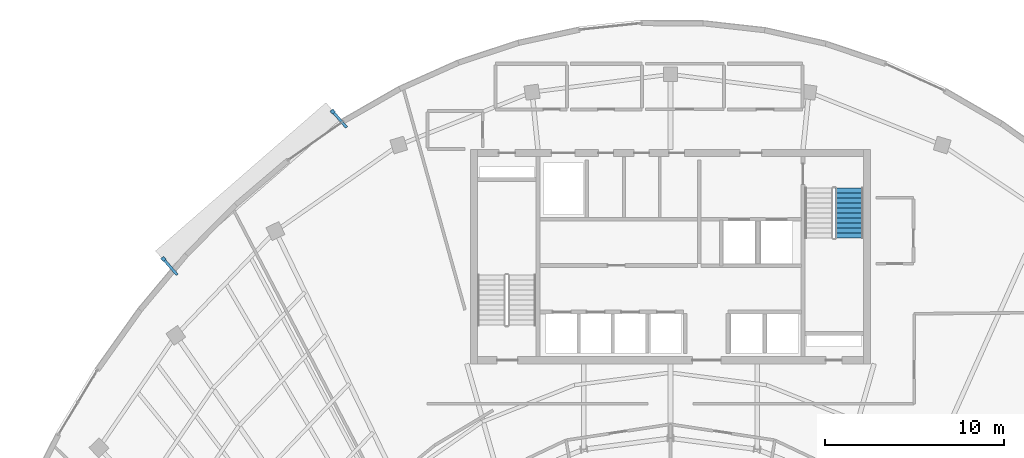
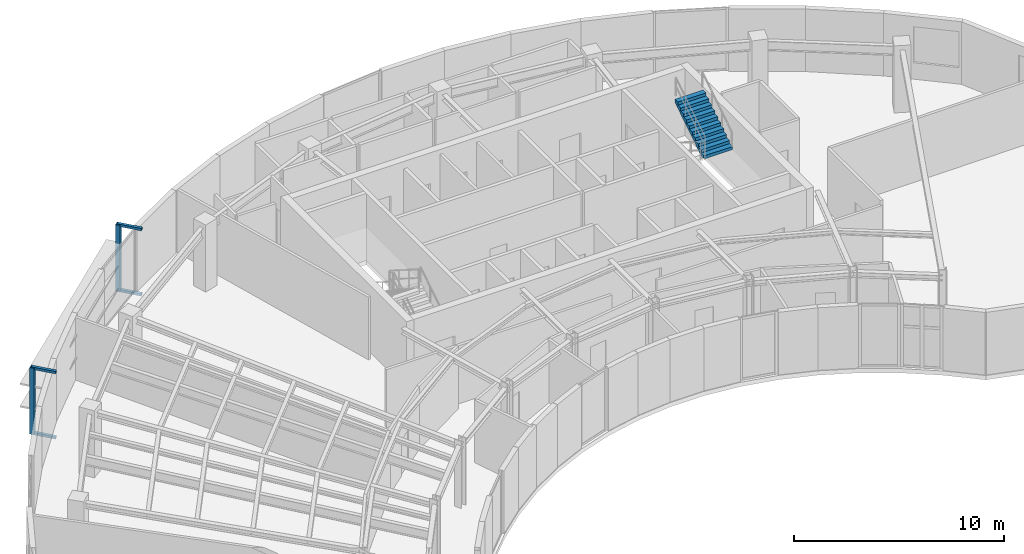
# One storey, part 12 of 13: 6 discrete accessories, 1 stair flight, 1 element without a shape of its own.
"""IFC4 building model written with IfcOpenShell, lengths in metres."""

from ifc_helpers import new_model, si_unit, direction, frame, origin, origin_2d, place, context, subcontext, project, spatial, polyline, rectangle, outline, extrude, source, transform, mapped, material, type_object, type_shapes, element, aggregate, save


model = new_model("IFC4")

# Units and contexts
model_context = context("Model", 3, precision=1e-05, world=origin(), true_north=direction((0.0, 1.0)))
body_context = subcontext(model_context, "Body", "Model", "MODEL_VIEW")
ifc_project = project(units=[si_unit("LENGTHUNIT", "METRE"), si_unit("AREAUNIT", "SQUARE_METRE"), si_unit("VOLUMEUNIT", "CUBIC_METRE"), si_unit("PLANEANGLEUNIT", "RADIAN"), si_unit("MASSUNIT", "GRAM", prefix="KILO")], contexts=[model_context])

# Site, building, storey
site_placement = place(None, origin())
site = spatial("IfcSite", under=ifc_project, at=site_placement, CompositionType="ELEMENT")
building_placement = place(site_placement, origin())
building = spatial("IfcBuilding", under=site, at=building_placement, Name="Breltana Convention Tower", CompositionType="ELEMENT")
storey_placement = place(building_placement, frame((0.0, 0.0, 271.800048828125)))
storey = spatial("IfcBuildingStorey", under=building, at=storey_placement, Name="L66", CompositionType="ELEMENT", Elevation=271.800048828125)

# Stair, stair flight
ifc_material_1 = material(Name="Concrete C40/50", Category="concrete")
stair_type = type_object("IfcStairType", Name="ST-DOG-1560-R177", PredefinedType="HALF_TURN_STAIR", material=ifc_material_1)
stair_placement = place(storey_placement, origin())
stair = element("IfcStair", 1, at=stair_placement, inside=storey, type_object=stair_type, Name="L66 Protected Core Exit Stair ST-2", PredefinedType="HALF_TURN_STAIR")
stair_flight_type = type_object("IfcStairFlightType", Name="STF-DOG-1560-N11-R177", PredefinedType="STRAIGHT", material=ifc_material_1)
stair_flight_placement = place(storey_placement, frame((58.02001953125, 67.239990234375, 1.949951171875), z_axis=(0.0, 0.0, 1.0), x_axis=(0.0, 1.0, 0.0)))
stair_flight = element("IfcStairFlight", 2, at=stair_flight_placement, type_object=stair_flight_type, Name="ST-2 flight 2", NumberOfRisers=11, NumberOfTreads=10, PredefinedType="STRAIGHT", RiserHeight=0.177272727, TreadLength=0.28, context=body_context, shape_type="SweptSolid", body=[
    extrude(outline(polyline([(0.0, 0.0), (0.0, 0.17724609375), (0.280029296875, 0.17724609375), (0.280029296875, 0.3544921875), (0.56005859375, 0.3544921875), (0.56005859375, 0.53173828125), (0.840087890625, 0.53173828125), (0.840087890625, 0.708984375), (1.1201171875, 0.708984375), (1.1201171875, 0.886474609375), (1.39990234375, 0.886474609375), (1.39990234375, 1.063720703125), (1.679931640625, 1.063720703125), (1.679931640625, 1.240966796875), (1.9599609375, 1.240966796875), (1.9599609375, 1.418212890625), (2.239990234375, 1.418212890625), (2.239990234375, 1.595458984375), (2.52001953125, 1.595458984375), (2.52001953125, 1.772705078125), (2.800048828125, 1.772705078125), (2.800048828125, 1.949951171875), (2.800048828125, 1.59521484375), (0.2802734375, 0.0), (0.0, 0.0)])), frame((0.0, 0.780029296875, 0.0), z_axis=(0.0, -1.0, 0.0), x_axis=(1.0, 0.0, 0.0)), (0.0, 0.0, 1.0), 1.56005859375),
])
aggregate(stair, [stair_flight])

# Discrete accessories
ifc_material_2 = material(Name="Steel S355", Category="steel")
discrete_accessory_type_1 = type_object("IfcDiscreteAccessoryType", Name="ACC-DSF-BRACKET-150", PredefinedType="BRACKET", material=ifc_material_2)
shared_shape_1 = source(origin(), body_context, "Body", "SweptSolid", [
    extrude(rectangle(XDim=1.239990234375, YDim=0.14990234375, at=origin_2d()), origin(), (0.0, 0.0, 1.0), 0.139892578125),
])
type_shapes(discrete_accessory_type_1, [shared_shape_1])
for number, where, z_axis, x_axis, name in (
    (3, (19.97998046875, 65.64794921875, -0.16015625), (0.0, 0.0, 1.0), (-0.656454295279, 0.754365798675, 0.0), "L66 double-skin slab stand-off bracket 1.1B"),
    (4, (19.97998046875, 65.64794921875, 3.64013671875), (0.0, 0.0, 1.0), (-0.656454295279, 0.754365798675, 0.0), "L66 double-skin slab stand-off bracket 1.1T"),
    (5, (29.459716796875, 73.897216796875, -0.16015625), (0.0, 0.0, 1.0), (-0.656454295279, 0.754365798675, 0.0), "L66 double-skin slab stand-off bracket 1.2B"),
    (6, (29.459716796875, 73.897216796875, 3.64013671875), (0.0, 0.0, 1.0), (-0.656454295279, 0.754365798675, 0.0), "L66 double-skin slab stand-off bracket 1.2T"),
):
    element("IfcDiscreteAccessory", number, at=place(storey_placement, frame(where, z_axis=z_axis, x_axis=x_axis)), inside=storey, type_object=discrete_accessory_type_1, Name=name, PredefinedType="BRACKET", context=body_context, shape_type="MappedRepresentation", body=[
        mapped(shared_shape_1, transform((0.0, 0.0, 0.0), scale=1.0)),
    ])
discrete_accessory_type_2 = type_object("IfcDiscreteAccessoryType", Name="ACC-DSF-CARRIER-150", PredefinedType="BRACKET", material=ifc_material_2)
shared_shape_2 = source(origin(), body_context, "Body", "SweptSolid", [
    extrude(rectangle(XDim=0.219970703125, YDim=0.219970703125, at=origin_2d()), origin(), (0.0, 0.0, 1.0), 3.860107421875),
])
for number, where, z_axis, x_axis, name in (
    (7, (19.6123046875, 66.0703125, -0.1201171875), (0.0, 0.0, 1.0), (-0.656454295279, 0.754365798675, 0.0), "L66 double-skin outer vertical carrier 1.1"),
    (8, (29.092041015625, 74.319580078125, -0.1201171875), (0.0, 0.0, 1.0), (-0.656454295279, 0.754365798675, 0.0), "L66 double-skin outer vertical carrier 1.2"),
):
    element("IfcDiscreteAccessory", number, at=place(storey_placement, frame(where, z_axis=z_axis, x_axis=x_axis)), inside=storey, type_object=discrete_accessory_type_2, Name=name, PredefinedType="BRACKET", context=body_context, shape_type="MappedRepresentation", body=[
        mapped(shared_shape_2, transform((0.0, 0.0, 0.0), scale=1.0)),
    ])

save(model, "model.ifc")
